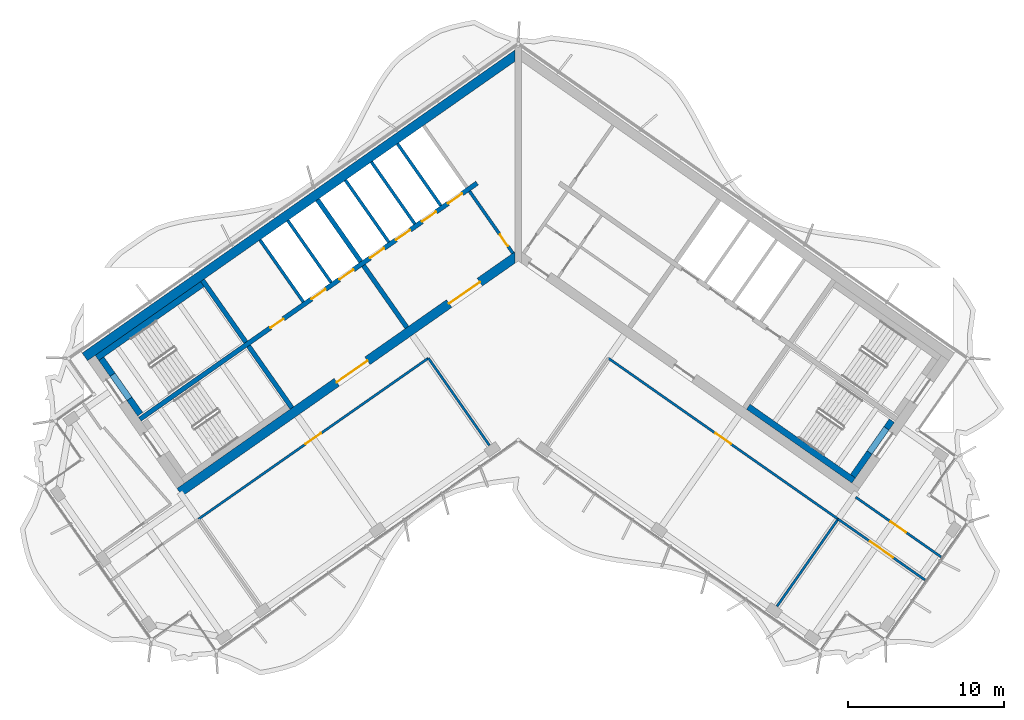
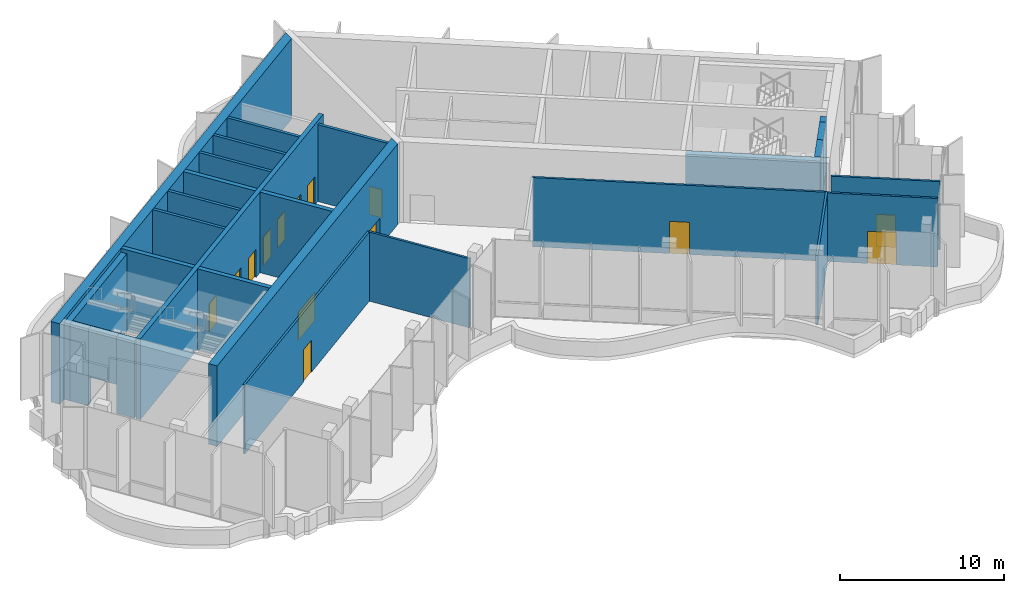
# One storey, part 9 of 18: 27 walls, 14 doors, 14 openings.
"""IFC4 building model written with IfcOpenShell, lengths in metres."""

from ifc_helpers import new_model, si_unit, direction, frame, frame_2d, origin, place, context, subcontext, project, spatial, polyline, rectangle, outline, extrude, material, layer, layer_set, type_object, element, fill, save


model = new_model("IFC4")

# Units and contexts
model_context = context("Model", 3, precision=1e-05, world=origin(), true_north=direction((0.0, 1.0)))
body_context = subcontext(model_context, "Body", "Model", "MODEL_VIEW")
ifc_project = project(units=[si_unit("LENGTHUNIT", "METRE"), si_unit("AREAUNIT", "SQUARE_METRE"), si_unit("VOLUMEUNIT", "CUBIC_METRE"), si_unit("PLANEANGLEUNIT", "RADIAN"), si_unit("MASSUNIT", "GRAM", prefix="KILO")], contexts=[model_context])

# Site, building, storey
site_placement = place(None, origin())
site = spatial("IfcSite", under=ifc_project, at=site_placement, CompositionType="ELEMENT")
building_placement = place(site_placement, origin())
building = spatial("IfcBuilding", under=site, at=building_placement, Name="Tel Ilan Convention Tower", CompositionType="ELEMENT")
storey_placement = place(building_placement, frame((0.0, 0.0, 307.300048828125)))
storey = spatial("IfcBuildingStorey", under=building, at=storey_placement, Name="L73", CompositionType="ELEMENT", Elevation=307.300048828125)

# Wall, opening, door
ifc_material_1 = material(Name="Concrete C30/37", Category="concrete")
ifc_layer_1 = layer(ifc_material_1, 0.199951171875)
ifc_layer_set_1 = layer_set([ifc_layer_1], Name="Core Service Room Wall 200 mm C30/37")
wall_type_1 = type_object("IfcWallType", Name="Core Service Room Wall 200 mm C30/37", PredefinedType="SOLIDWALL", material=ifc_layer_set_1)
wall_1_placement = place(storey_placement, frame((-0.343994140625, -0.729248046875, 0.0), z_axis=(0.0, 0.0, 1.0), x_axis=(-0.573560315113, 0.819163332265, 0.0)))
wall_1 = element("IfcWall", 1, at=wall_1_placement, inside=storey, type_object=wall_type_1, Name="L73 core wall apex-W", PredefinedType="SOLIDWALL", context=body_context, shape_type="SweptSolid", body=[
    extrude(rectangle(XDim=4.849853515625, YDim=0.199951171875, at=frame_2d((2.4248046875, 0.0))), origin(), (0.0, 0.0, 1.0), 5.719970703125),
])
opening_1_placement = place(wall_1_placement, frame((0.550048828125, 0.0, 0.0)))
opening_1 = element("IfcOpeningElement", 2, at=opening_1_placement, cuts=wall_1, Name="Opening CD5502", PredefinedType="OPENING", context=body_context, shape_type="SweptSolid", body=[
    extrude(rectangle(XDim=0.89990234375, YDim=2.10009765625, at=frame_2d((0.449951171875, 1.050048828125))), frame((0.0, 0.10986328125, 0.0), z_axis=(0.0, -1.0, 0.0), x_axis=(1.0, 0.0, 0.0)), (0.0, 0.0, 1.0), 0.219970703125),
])
ifc_material_2 = material(Name="Galvanised Steel Door Leaf", Category="steel")
door_type_1 = type_object("IfcDoorType", Name="Service Room Door 900 x 2100 FD60", OperationType="NOTDEFINED", PredefinedType="DOOR", material=ifc_material_2)
door_1_placement = place(opening_1_placement, origin())
door_1 = element("IfcDoor", 3, at=door_1_placement, inside=storey, type_object=door_type_1, Name="Electrical Room door", OperationType="SINGLE_SWING_RIGHT", OverallHeight=2.10009765625, OverallWidth=0.89990234375, PredefinedType="DOOR", context=body_context, shape_type="SweptSolid", body=[
    extrude(rectangle(XDim=0.89990234375, YDim=2.10009765625, at=frame_2d((0.449951171875, 1.050048828125))), frame((0.0, 0.02490234375, 0.0), z_axis=(0.0, -1.0, 0.0), x_axis=(1.0, 0.0, 0.0)), (0.0, 0.0, 1.0), 0.050048828125),
])
fill(opening_1, door_1)

# Walls
ifc_material_3 = material(Name="Concrete C40/50", Category="concrete")
ifc_layer_2 = layer(ifc_material_3, 0.300048828125)
ifc_layer_set_2 = layer_set([ifc_layer_2], Name="Core Shear Wall 300 mm C40/50")
wall_type_2 = type_object("IfcWallType", Name="Core Shear Wall 300 mm C40/50", PredefinedType="SHEAR", material=ifc_layer_set_2)
wall_2_placement = place(storey_placement, frame((-7.142822265625, -5.48974609375, 0.0), z_axis=(0.0, 0.0, 1.0), x_axis=(-0.573617744349, 0.819123118565, 0.0)))
element("IfcWall", 4, at=wall_2_placement, inside=storey, type_object=wall_type_2, Name="L73 core wall W-cross1-1", PredefinedType="SHEAR", context=body_context, shape_type="SweptSolid", body=[
    extrude(outline(polyline([(4.85009765625, 0.14990234375), (0.0, 0.150146484375), (0.0, -0.14990234375), (4.85009765625, -0.150146484375), (4.85009765625, 0.14990234375)])), origin(), (0.0, 0.0, 1.0), 6.0),
])
wall_3_placement = place(storey_placement, frame((-10.096923828125, -1.271240234375, 0.0), z_axis=(0.0, 0.0, 1.0), x_axis=(-0.573560315113, 0.819163332265, 0.0)))
element("IfcWall", 5, at=wall_3_placement, inside=storey, type_object=wall_type_2, Name="L73 core wall W-cross1-2", PredefinedType="SHEAR", context=body_context, shape_type="SweptSolid", body=[
    extrude(outline(polyline([(4.849853515625, -0.14990234375), (4.849853515625, 0.150146484375), (0.0, 0.14990234375), (0.0, -0.150146484375), (4.849853515625, -0.14990234375)])), origin(), (0.0, 0.0, 1.0), 6.0),
])
wall_4_placement = place(storey_placement, frame((-14.515380859375, -10.652099609375, 0.0), z_axis=(0.0, 0.0, 1.0), x_axis=(-0.573560315113, 0.819163332265, 0.0)))
element("IfcWall", 6, at=wall_4_placement, inside=storey, type_object=wall_type_2, Name="L73 core wall W-cross2-1", PredefinedType="SHEAR", context=body_context, shape_type="SweptSolid", body=[
    extrude(outline(polyline([(4.85009765625, 0.14990234375), (0.0, 0.14990234375), (0.0, -0.150146484375), (4.85009765625, -0.14990234375), (4.85009765625, 0.14990234375)])), origin(), (0.0, 0.0, 1.0), 6.0),
])
wall_5_placement = place(storey_placement, frame((-17.46923828125, -6.433349609375, 0.0), z_axis=(0.0, 0.0, 1.0), x_axis=(-0.573594092424, 0.81913968109, 0.0)))
element("IfcWall", 7, at=wall_5_placement, inside=storey, type_object=wall_type_2, Name="L73 core wall W-cross2-2", PredefinedType="SHEAR", context=body_context, shape_type="SweptSolid", body=[
    extrude(outline(polyline([(4.849853515625, -0.150146484375), (4.849853515625, 0.14990234375), (0.0, 0.14990234375), (0.0, -0.14990234375), (4.849853515625, -0.150146484375)])), origin(), (0.0, 0.0, 1.0), 6.0),
])

# Wall, openings, doors
wall_6_placement = place(storey_placement, frame((-2.638427734375, 3.76806640625, 0.0), z_axis=(0.0, 0.0, 1.0), x_axis=(-0.819155014212, -0.573572194837, 0.0)))
wall_6 = element("IfcWall", 8, at=wall_6_placement, inside=storey, type_object=wall_type_2, Name="L73 core wall W-spine", PredefinedType="SHEAR", context=body_context, shape_type="SweptSolid", body=[
    extrude(outline(polyline([(26.39990234375, 0.150146484375), (0.0, 0.14990234375), (0.0, -0.150146484375), (26.39990234375, -0.14990234375), (26.39990234375, 0.150146484375)])), origin(), (0.0, 0.0, 1.0), 6.0),
])
opening_2_placement = place(wall_6_placement, frame((1.168701171875, 0.0, 0.0)))
opening_2 = element("IfcOpeningElement", 9, at=opening_2_placement, cuts=wall_6, Name="Opening LD5504", PredefinedType="OPENING", context=body_context, shape_type="SweptSolid", body=[
    extrude(rectangle(XDim=1.10009765625, YDim=2.10009765625, at=frame_2d((0.550048828125, 1.050048828125))), frame((0.0, 0.159912109375, 0.0), z_axis=(0.0, -1.0, 0.0), x_axis=(1.0, 0.0, 0.0)), (0.0, 0.0, 1.0), 0.320068359375),
])
opening_3_placement = place(wall_6_placement, frame((3.206298828125, 0.0, 0.0)))
opening_3 = element("IfcOpeningElement", 10, at=opening_3_placement, cuts=wall_6, Name="Opening LD5505", PredefinedType="OPENING", context=body_context, shape_type="SweptSolid", body=[
    extrude(rectangle(XDim=1.10009765625, YDim=2.10009765625, at=frame_2d((0.550048828125, 1.050048828125))), frame((0.0, 0.159912109375, 0.0), z_axis=(0.0, -1.0, 0.0), x_axis=(1.0, 0.0, 0.0)), (0.0, 0.0, 1.0), 0.320068359375),
])
opening_4_placement = place(wall_6_placement, frame((5.24365234375, 0.0, 0.0)))
opening_4 = element("IfcOpeningElement", 11, at=opening_4_placement, cuts=wall_6, Name="Opening LD5506", PredefinedType="OPENING", context=body_context, shape_type="SweptSolid", body=[
    extrude(rectangle(XDim=1.10009765625, YDim=2.10009765625, at=frame_2d((0.550048828125, 1.050048828125))), frame((0.0, 0.159912109375, 0.0), z_axis=(0.0, -1.0, 0.0), x_axis=(1.0, 0.0, 0.0)), (0.0, 0.0, 1.0), 0.320068359375),
])
opening_5_placement = place(wall_6_placement, frame((7.28125, 0.0, 0.0)))
opening_5 = element("IfcOpeningElement", 12, at=opening_5_placement, cuts=wall_6, Name="Opening LD5507", PredefinedType="OPENING", context=body_context, shape_type="SweptSolid", body=[
    extrude(rectangle(XDim=1.10009765625, YDim=2.10009765625, at=frame_2d((0.550048828125, 1.050048828125))), frame((0.0, 0.159912109375, 0.0), z_axis=(0.0, -1.0, 0.0), x_axis=(1.0, 0.0, 0.0)), (0.0, 0.0, 1.0), 0.320068359375),
])
opening_6_placement = place(wall_6_placement, frame((9.6875, 0.0, 0.0)))
opening_6 = element("IfcOpeningElement", 13, at=opening_6_placement, cuts=wall_6, Name="Opening LD5508", PredefinedType="OPENING", context=body_context, shape_type="SweptSolid", body=[
    extrude(rectangle(XDim=1.10009765625, YDim=2.10009765625, at=frame_2d((0.550048828125, 1.050048828125))), frame((0.0, 0.159912109375, 0.0), z_axis=(0.0, -1.0, 0.0), x_axis=(1.0, 0.0, 0.0)), (0.0, 0.0, 1.0), 0.320068359375),
])
opening_7_placement = place(wall_6_placement, frame((11.862548828125, 0.0, 0.0)))
opening_7 = element("IfcOpeningElement", 14, at=opening_7_placement, cuts=wall_6, Name="Opening LD5509", PredefinedType="OPENING", context=body_context, shape_type="SweptSolid", body=[
    extrude(rectangle(XDim=1.10009765625, YDim=2.10009765625, at=frame_2d((0.550048828125, 1.050048828125))), frame((0.0, 0.159912109375, 0.0), z_axis=(0.0, -1.0, 0.0), x_axis=(1.0, 0.0, 0.0)), (0.0, 0.0, 1.0), 0.320068359375),
])
opening_8_placement = place(wall_6_placement, frame((15.175048828125, 0.0, 0.0)))
opening_8 = element("IfcOpeningElement", 15, at=opening_8_placement, cuts=wall_6, Name="Opening CD5509", PredefinedType="OPENING", context=body_context, shape_type="SweptSolid", body=[
    extrude(rectangle(XDim=1.0, YDim=2.10009765625, at=frame_2d((0.5, 1.050048828125))), frame((0.0, 0.159912109375, 0.0), z_axis=(0.0, -1.0, 0.0), x_axis=(1.0, 0.0, 0.0)), (0.0, 0.0, 1.0), 0.320068359375),
])
ifc_material_4 = material(Name="Stainless Steel Sliding Door Leaf", Category="steel")
door_type_2 = type_object("IfcDoorType", Name="Lift Landing Door 1100 x 2100 FD120", OperationType="NOTDEFINED", PredefinedType="DOOR", material=ifc_material_4)
door_2_placement = place(opening_2_placement, origin())
door_2 = element("IfcDoor", 16, at=door_2_placement, inside=storey, type_object=door_type_2, Name="Lift HR1 landing door", OperationType="SLIDING_TO_LEFT", OverallHeight=2.10009765625, OverallWidth=1.10009765625, PredefinedType="DOOR", context=body_context, shape_type="SweptSolid", body=[
    extrude(rectangle(XDim=1.10009765625, YDim=2.10009765625, at=frame_2d((0.550048828125, 1.050048828125))), frame((0.0, 0.02490234375, 0.0), z_axis=(0.0, -1.0, 0.0), x_axis=(1.0, 0.0, 0.0)), (0.0, 0.0, 1.0), 0.050048828125),
])
fill(opening_2, door_2)
door_3_placement = place(opening_3_placement, origin())
door_3 = element("IfcDoor", 17, at=door_3_placement, inside=storey, type_object=door_type_2, Name="Lift HR2 landing door", OperationType="SLIDING_TO_RIGHT", OverallHeight=2.10009765625, OverallWidth=1.10009765625, PredefinedType="DOOR", context=body_context, shape_type="SweptSolid", body=[
    extrude(rectangle(XDim=1.10009765625, YDim=2.10009765625, at=frame_2d((0.550048828125, 1.050048828125))), frame((0.0, 0.02490234375, 0.0), z_axis=(0.0, -1.0, 0.0), x_axis=(1.0, 0.0, 0.0)), (0.0, 0.0, 1.0), 0.050048828125),
])
fill(opening_3, door_3)
door_4_placement = place(opening_4_placement, origin())
door_4 = element("IfcDoor", 18, at=door_4_placement, inside=storey, type_object=door_type_2, Name="Lift HR3 landing door", OperationType="SLIDING_TO_LEFT", OverallHeight=2.10009765625, OverallWidth=1.10009765625, PredefinedType="DOOR", context=body_context, shape_type="SweptSolid", body=[
    extrude(rectangle(XDim=1.10009765625, YDim=2.10009765625, at=frame_2d((0.550048828125, 1.050048828125))), frame((0.0, 0.02490234375, 0.0), z_axis=(0.0, -1.0, 0.0), x_axis=(1.0, 0.0, 0.0)), (0.0, 0.0, 1.0), 0.050048828125),
])
fill(opening_4, door_4)
door_5_placement = place(opening_5_placement, origin())
door_5 = element("IfcDoor", 19, at=door_5_placement, inside=storey, type_object=door_type_2, Name="Lift HR4 landing door", OperationType="SLIDING_TO_RIGHT", OverallHeight=2.10009765625, OverallWidth=1.10009765625, PredefinedType="DOOR", context=body_context, shape_type="SweptSolid", body=[
    extrude(rectangle(XDim=1.10009765625, YDim=2.10009765625, at=frame_2d((0.550048828125, 1.050048828125))), frame((0.0, 0.02490234375, 0.0), z_axis=(0.0, -1.0, 0.0), x_axis=(1.0, 0.0, 0.0)), (0.0, 0.0, 1.0), 0.050048828125),
])
fill(opening_5, door_5)
door_6_placement = place(opening_6_placement, origin())
door_6 = element("IfcDoor", 20, at=door_6_placement, inside=storey, type_object=door_type_2, Name="Lift HR5 landing door", OperationType="SLIDING_TO_LEFT", OverallHeight=2.10009765625, OverallWidth=1.10009765625, PredefinedType="DOOR", context=body_context, shape_type="SweptSolid", body=[
    extrude(rectangle(XDim=1.10009765625, YDim=2.10009765625, at=frame_2d((0.550048828125, 1.050048828125))), frame((0.0, 0.02490234375, 0.0), z_axis=(0.0, -1.0, 0.0), x_axis=(1.0, 0.0, 0.0)), (0.0, 0.0, 1.0), 0.050048828125),
])
fill(opening_6, door_6)
door_7_placement = place(opening_7_placement, origin())
door_7 = element("IfcDoor", 21, at=door_7_placement, inside=storey, type_object=door_type_2, Name="Lift HR6 landing door", OperationType="SLIDING_TO_RIGHT", OverallHeight=2.10009765625, OverallWidth=1.10009765625, PredefinedType="DOOR", context=body_context, shape_type="SweptSolid", body=[
    extrude(rectangle(XDim=1.10009765625, YDim=2.10009765625, at=frame_2d((0.550048828125, 1.050048828125))), frame((0.0, 0.02490234375, 0.0), z_axis=(0.0, -1.0, 0.0), x_axis=(1.0, 0.0, 0.0)), (0.0, 0.0, 1.0), 0.050048828125),
])
fill(opening_7, door_7)
ifc_material_5 = material(Name="Galvanised Steel Door Leaf", Category="steel")
door_type_3 = type_object("IfcDoorType", Name="Service Room Door 1000 x 2100 FD60", OperationType="NOTDEFINED", PredefinedType="DOOR", material=ifc_material_5)
door_8_placement = place(opening_8_placement, origin())
door_8 = element("IfcDoor", 22, at=door_8_placement, inside=storey, type_object=door_type_3, Name="Plant Room door", OperationType="SINGLE_SWING_RIGHT", OverallHeight=2.10009765625, OverallWidth=1.0, PredefinedType="DOOR", context=body_context, shape_type="SweptSolid", body=[
    extrude(rectangle(XDim=1.0, YDim=2.10009765625, at=frame_2d((0.5, 1.050048828125))), frame((0.0, 0.02490234375, 0.0), z_axis=(0.0, -1.0, 0.0), x_axis=(1.0, 0.0, 0.0)), (0.0, 0.0, 1.0), 0.050048828125),
])
fill(opening_8, door_8)

# Wall
ifc_material_6 = material(Name="Concrete C40/50", Category="concrete")
ifc_layer_3 = layer(ifc_material_6, 0.60009765625)
ifc_layer_set_3 = layer_set([ifc_layer_3], Name="Core Shear Wall 600 mm C40/50")
wall_type_3 = type_object("IfcWallType", Name="Core Shear Wall 600 mm C40/50", PredefinedType="SHEAR", material=ifc_layer_set_3)
wall_7_placement = place(storey_placement, frame((-0.02783203125, 12.066162109375, 0.0), z_axis=(0.0, 0.0, 1.0), x_axis=(-0.819151382952, -0.573577380837, 0.0)))
element("IfcWall", 23, at=wall_7_placement, inside=storey, type_object=wall_type_3, Name="L73 core wall W-back", PredefinedType="SHEAR", context=body_context, shape_type="SweptSolid", body=[
    extrude(outline(polyline([(33.89794921875, 0.300048828125), (0.420166015625, 0.300048828125), (0.0, -0.300048828125), (33.898193359375, -0.300048828125), (33.89794921875, 0.300048828125)])), origin(), (0.0, 0.0, 1.0), 6.0),
])

# Wall, openings, doors
wall_8_placement = place(storey_placement, frame((-0.02783203125, -0.8740234375, 0.0), z_axis=(0.0, 0.0, 1.0), x_axis=(-0.819150035022, -0.573579305871, 0.0)))
wall_8 = element("IfcWall", 24, at=wall_8_placement, inside=storey, type_object=wall_type_3, Name="L73 core wall W-front", PredefinedType="SHEAR", context=body_context, shape_type="SweptSolid", body=[
    extrude(outline(polyline([(26.475830078125, 0.2998046875), (0.420166015625, 0.300048828125), (0.000244140625, -0.300048828125), (26.475830078125, -0.300048828125), (26.475830078125, 0.2998046875)])), origin(), (0.0, 0.0, 1.0), 6.0),
])
opening_9_placement = place(wall_8_placement, frame((2.975830078125, 0.0, 0.0)))
opening_9 = element("IfcOpeningElement", 25, at=opening_9_placement, cuts=wall_8, Name="Opening CD5506", PredefinedType="OPENING", context=body_context, shape_type="SweptSolid", body=[
    extrude(rectangle(XDim=2.39990234375, YDim=2.10009765625, at=frame_2d((1.199951171875, 1.050048828125))), frame((0.0, 0.31005859375, 0.0), z_axis=(0.0, -1.0, 0.0), x_axis=(1.0, 0.0, 0.0)), (0.0, 0.0, 1.0), 0.6201171875),
])
opening_10_placement = place(wall_8_placement, frame((11.77587890625, 0.0, 0.0)))
opening_10 = element("IfcOpeningElement", 26, at=opening_10_placement, cuts=wall_8, Name="Opening CD5507", PredefinedType="OPENING", context=body_context, shape_type="SweptSolid", body=[
    extrude(rectangle(XDim=2.39990234375, YDim=2.10009765625, at=frame_2d((1.199951171875, 1.050048828125))), frame((0.0, 0.31005859375, 0.0), z_axis=(0.0, -1.0, 0.0), x_axis=(1.0, 0.0, 0.0)), (0.0, 0.0, 1.0), 0.6201171875),
])
ifc_material_7 = material(Name="Glazed Aluminium Door Leaf", Category="aluminium")
door_type_4 = type_object("IfcDoorType", Name="Lobby Opening Door 2400 x 2100 FD60S", OperationType="NOTDEFINED", PredefinedType="DOOR", material=ifc_material_7)
door_9_placement = place(opening_9_placement, origin())
door_9 = element("IfcDoor", 27, at=door_9_placement, inside=storey, type_object=door_type_4, Name="Lift Lobby HR1-HR4 opening", OperationType="DOUBLE_DOOR_SINGLE_SWING", OverallHeight=2.10009765625, OverallWidth=2.39990234375, PredefinedType="DOOR", context=body_context, shape_type="SweptSolid", body=[
    extrude(rectangle(XDim=2.39990234375, YDim=2.10009765625, at=frame_2d((1.199951171875, 1.050048828125))), frame((0.0, 0.02490234375, 0.0), z_axis=(0.0, -1.0, 0.0), x_axis=(1.0, 0.0, 0.0)), (0.0, 0.0, 1.0), 0.050048828125),
])
fill(opening_9, door_9)
door_10_placement = place(opening_10_placement, origin())
door_10 = element("IfcDoor", 28, at=door_10_placement, inside=storey, type_object=door_type_4, Name="Lift Lobby HR5-HR6 opening", OperationType="DOUBLE_DOOR_SINGLE_SWING", OverallHeight=2.10009765625, OverallWidth=2.39990234375, PredefinedType="DOOR", context=body_context, shape_type="SweptSolid", body=[
    extrude(rectangle(XDim=2.39990234375, YDim=2.10009765625, at=frame_2d((1.199951171875, 1.050048828125))), frame((0.0, 0.02490234375, 0.0), z_axis=(0.0, -1.0, 0.0), x_axis=(1.0, 0.0, 0.0)), (0.0, 0.0, 1.0), 0.050048828125),
])
fill(opening_10, door_10)

# Wall, opening, door
ifc_material_8 = material(Name="Plasterboard on Steel Studs", Category="steel")
ifc_layer_4 = layer(ifc_material_8, 0.14990234375)
ifc_layer_set_4 = layer_set([ifc_layer_4], Name="Fire-rated Partition 150 EI 60")
wall_type_4 = type_object("IfcWallType", Name="Fire-rated Partition 150 EI 60", PredefinedType="PARTITIONING", material=ifc_layer_set_4)
wall_9_placement = place(storey_placement, frame((21.641845703125, -16.37451171875, 0.0), z_axis=(0.0, 0.0, 1.0), x_axis=(0.819147777977, -0.573582529227, 0.0)))
wall_9 = element("IfcWall", 29, at=wall_9_placement, inside=storey, type_object=wall_type_4, Name="Partition 001", PredefinedType="PARTITIONING", context=body_context, shape_type="SweptSolid", body=[
    extrude(rectangle(XDim=6.679931640625, YDim=0.14990234375, at=frame_2d((3.33984375, 0.0))), origin(), (0.0, 0.0, 1.0), 5.099853515625),
])
opening_11_placement = place(wall_9_placement, frame((2.739990234375, 0.0, 0.0)))
opening_11 = element("IfcOpeningElement", 30, at=opening_11_placement, cuts=wall_9, Name="Opening L73-006", PredefinedType="OPENING", context=body_context, shape_type="SweptSolid", body=[
    extrude(rectangle(XDim=1.199951171875, YDim=2.39990234375, at=frame_2d((0.60009765625, 1.199951171875))), frame((0.0, 0.0849609375, 0.0), z_axis=(0.0, -1.0, 0.0), x_axis=(1.0, 0.0, 0.0)), (0.0, 0.0, 1.0), 0.169921875),
])
ifc_material_9 = material(Name="Glazed Aluminium Door", Category="aluminium")
door_type_5 = type_object("IfcDoorType", Name="Glazed Lobby Door 1200x2400", OperationType="NOTDEFINED", PredefinedType="DOOR", material=ifc_material_9)
door_11_placement = place(opening_11_placement, origin())
door_11 = element("IfcDoor", 31, at=door_11_placement, inside=storey, type_object=door_type_5, Name="Door L73-006", OperationType="DOUBLE_DOOR_SINGLE_SWING", OverallHeight=2.39990234375, OverallWidth=1.199951171875, PredefinedType="DOOR", context=body_context, shape_type="SweptSolid", body=[
    extrude(rectangle(XDim=1.199951171875, YDim=2.39990234375, at=frame_2d((0.60009765625, 1.199951171875))), frame((0.0, 0.02490234375, 0.0), z_axis=(0.0, -1.0, 0.0), x_axis=(1.0, 0.0, 0.0)), (0.0, 0.0, 1.0), 0.050048828125),
])
fill(opening_11, door_11)

wall_10_placement = place(storey_placement, frame((20.5126953125, -17.78125, 0.0), z_axis=(0.0, 0.0, 1.0), x_axis=(-0.819153544995, 0.573574293115, 0.0)))
wall_10 = element("IfcWall", 32, at=wall_10_placement, inside=storey, type_object=wall_type_4, Name="Partition 002", PredefinedType="PARTITIONING", context=body_context, shape_type="SweptSolid", body=[
    extrude(rectangle(XDim=18.001953125, YDim=0.14990234375, at=frame_2d((9.0009765625, 0.0))), origin(), (0.0, 0.0, 1.0), 5.14990234375),
])
opening_12_placement = place(wall_10_placement, frame((8.40087890625, 0.0, 0.0)))
opening_12 = element("IfcOpeningElement", 33, at=opening_12_placement, cuts=wall_10, Name="Opening L73-004", PredefinedType="OPENING", context=body_context, shape_type="SweptSolid", body=[
    extrude(rectangle(XDim=1.199951171875, YDim=2.39990234375, at=frame_2d((0.60009765625, 1.199951171875))), frame((0.0, 0.0849609375, 0.0), z_axis=(0.0, -1.0, 0.0), x_axis=(1.0, 0.0, 0.0)), (0.0, 0.0, 1.0), 0.169921875),
])
door_12_placement = place(opening_12_placement, origin())
door_12 = element("IfcDoor", 34, at=door_12_placement, inside=storey, type_object=door_type_5, Name="Door L73-004", OperationType="DOUBLE_DOOR_SINGLE_SWING", OverallHeight=2.39990234375, OverallWidth=1.199951171875, PredefinedType="DOOR", context=body_context, shape_type="SweptSolid", body=[
    extrude(rectangle(XDim=1.199951171875, YDim=2.39990234375, at=frame_2d((0.60009765625, 1.199951171875))), frame((0.0, 0.02490234375, 0.0), z_axis=(0.0, -1.0, 0.0), x_axis=(1.0, 0.0, 0.0)), (0.0, 0.0, 1.0), 0.050048828125),
])
fill(opening_12, door_12)

wall_11_placement = place(storey_placement, frame((26.081298828125, -21.680419921875, 0.0), z_axis=(0.0, 0.0, 1.0), x_axis=(-0.819154345195, 0.573573150303, 0.0)))
wall_11 = element("IfcWall", 35, at=wall_11_placement, inside=storey, type_object=wall_type_4, Name="Partition 003", PredefinedType="PARTITIONING", context=body_context, shape_type="SweptSolid", body=[
    extrude(rectangle(XDim=6.8017578125, YDim=0.14990234375, at=frame_2d((3.40087890625, 0.0))), origin(), (0.0, 0.0, 1.0), 5.099853515625),
])
opening_13_placement = place(wall_11_placement, frame((2.5009765625, 0.0, 0.0)))
opening_13 = element("IfcOpeningElement", 36, at=opening_13_placement, cuts=wall_11, Name="Opening L73-005", PredefinedType="OPENING", context=body_context, shape_type="SweptSolid", body=[
    extrude(rectangle(XDim=1.800048828125, YDim=2.39990234375, at=frame_2d((0.89990234375, 1.199951171875))), frame((0.0, 0.0849609375, 0.0), z_axis=(0.0, -1.0, 0.0), x_axis=(1.0, 0.0, 0.0)), (0.0, 0.0, 1.0), 0.169921875),
])
ifc_material_10 = material(Name="Timber Door Leaf in Steel Frame", Category="steel")
door_type_6 = type_object("IfcDoorType", Name="Hall Double Fire Door 1800x2400", OperationType="NOTDEFINED", PredefinedType="DOOR", material=ifc_material_10)
door_13_placement = place(opening_13_placement, origin())
door_13 = element("IfcDoor", 37, at=door_13_placement, inside=storey, type_object=door_type_6, Name="Door L73-005", OperationType="DOUBLE_DOOR_SINGLE_SWING", OverallHeight=2.39990234375, OverallWidth=1.800048828125, PredefinedType="DOOR", context=body_context, shape_type="SweptSolid", body=[
    extrude(rectangle(XDim=1.800048828125, YDim=2.39990234375, at=frame_2d((0.89990234375, 1.199951171875))), frame((0.0, 0.02490234375, 0.0), z_axis=(0.0, -1.0, 0.0), x_axis=(1.0, 0.0, 0.0)), (0.0, 0.0, 1.0), 0.050048828125),
])
fill(opening_13, door_13)

wall_12_placement = place(storey_placement, frame((-5.766357421875, -7.455810546875, 0.0), z_axis=(0.0, 0.0, 1.0), x_axis=(-0.819153544995, -0.573574293115, 0.0)))
wall_12 = element("IfcWall", 38, at=wall_12_placement, inside=storey, type_object=wall_type_4, Name="Partition 005", PredefinedType="PARTITIONING", context=body_context, shape_type="SweptSolid", body=[
    extrude(rectangle(XDim=18.001953125, YDim=0.14990234375, at=frame_2d((9.0009765625, 0.0))), origin(), (0.0, 0.0, 1.0), 5.14990234375),
])
opening_14_placement = place(wall_12_placement, frame((8.40087890625, 0.0, 0.0)))
opening_14 = element("IfcOpeningElement", 39, at=opening_14_placement, cuts=wall_12, Name="Opening L73-001", PredefinedType="OPENING", context=body_context, shape_type="SweptSolid", body=[
    extrude(rectangle(XDim=1.199951171875, YDim=2.39990234375, at=frame_2d((0.60009765625, 1.199951171875))), frame((0.0, 0.0849609375, 0.0), z_axis=(0.0, -1.0, 0.0), x_axis=(1.0, 0.0, 0.0)), (0.0, 0.0, 1.0), 0.169921875),
])
door_14_placement = place(opening_14_placement, origin())
door_14 = element("IfcDoor", 40, at=door_14_placement, inside=storey, type_object=door_type_5, Name="Door L73-001", OperationType="DOUBLE_DOOR_SINGLE_SWING", OverallHeight=2.39990234375, OverallWidth=1.199951171875, PredefinedType="DOOR", context=body_context, shape_type="SweptSolid", body=[
    extrude(rectangle(XDim=1.199951171875, YDim=2.39990234375, at=frame_2d((0.60009765625, 1.199951171875))), frame((0.0, 0.02490234375, 0.0), z_axis=(0.0, -1.0, 0.0), x_axis=(1.0, 0.0, 0.0)), (0.0, 0.0, 1.0), 0.050048828125),
])
fill(opening_14, door_14)

# Walls
wall_13_placement = place(storey_placement, frame((20.510986328125, -17.7802734375, 0.0), z_axis=(0.0, 0.0, 1.0), x_axis=(-0.573577493031, -0.819151304393, 0.0)))
element("IfcWall", 41, at=wall_13_placement, inside=storey, type_object=wall_type_4, Name="Partition 007", PredefinedType="PARTITIONING", context=body_context, shape_type="SweptSolid", body=[
    extrude(rectangle(XDim=6.829833984375, YDim=0.14990234375, at=frame_2d((3.4150390625, 0.0))), origin(), (0.0, 0.0, 1.0), 5.14990234375),
])
wall_14_placement = place(storey_placement, frame((-1.848876953125, -13.050537109375, 0.0), z_axis=(0.0, 0.0, 1.0), x_axis=(-0.57357985571, 0.819149650018, 0.0)))
element("IfcWall", 42, at=wall_14_placement, inside=storey, type_object=wall_type_4, Name="Partition 009", PredefinedType="PARTITIONING", context=body_context, shape_type="SweptSolid", body=[
    extrude(rectangle(XDim=6.83203125, YDim=0.14990234375, at=frame_2d((3.416015625, 0.0))), origin(), (0.0, 0.0, 1.0), 5.14990234375),
])
ifc_material_11 = material(Name="Concrete C30/37", Category="concrete")
ifc_layer_5 = layer(ifc_material_11, 0.199951171875)
ifc_layer_set_5 = layer_set([ifc_layer_5], Name="Lift Shaft Wall 200 mm C30/37")
wall_type_5 = type_object("IfcWallType", Name="Lift Shaft Wall 200 mm C30/37", PredefinedType="SOLIDWALL", material=ifc_layer_set_5)
wall_15_placement = place(storey_placement, frame((-4.966796875, 2.32080078125, 0.0), z_axis=(0.0, 0.0, 1.0), x_axis=(-0.573594092424, 0.81913968109, 0.0)))
element("IfcWall", 43, at=wall_15_placement, inside=storey, type_object=wall_type_5, Name="L73 core wall bank-W1-p0", PredefinedType="SOLIDWALL", context=body_context, shape_type="SweptSolid", body=[
    extrude(rectangle(XDim=4.85009765625, YDim=0.199951171875, at=frame_2d((2.425048828125, 0.0))), origin(), (0.0, 0.0, 1.0), 6.0),
])
wall_16_placement = place(storey_placement, frame((-6.635986328125, 1.152099609375, 0.0), z_axis=(0.0, 0.0, 1.0), x_axis=(-0.573560315113, 0.819163332265, 0.0)))
element("IfcWall", 44, at=wall_16_placement, inside=storey, type_object=wall_type_5, Name="L73 core wall bank-W1-p1", PredefinedType="SOLIDWALL", context=body_context, shape_type="SweptSolid", body=[
    extrude(rectangle(XDim=4.849853515625, YDim=0.199951171875, at=frame_2d((2.4248046875, 0.0))), origin(), (0.0, 0.0, 1.0), 6.0),
])
wall_17_placement = place(storey_placement, frame((-8.304931640625, -0.0166015625, 0.0), z_axis=(0.0, 0.0, 1.0), x_axis=(-0.573594092424, 0.81913968109, 0.0)))
element("IfcWall", 45, at=wall_17_placement, inside=storey, type_object=wall_type_5, Name="L73 core wall bank-W1-p2", PredefinedType="SOLIDWALL", context=body_context, shape_type="SweptSolid", body=[
    extrude(rectangle(XDim=4.85009765625, YDim=0.199951171875, at=frame_2d((2.425048828125, 0.0))), origin(), (0.0, 0.0, 1.0), 6.0),
])
wall_18_placement = place(storey_placement, frame((-12.00146484375, -2.604736328125, 0.0), z_axis=(0.0, 0.0, 1.0), x_axis=(-0.573560315113, 0.819163332265, 0.0)))
element("IfcWall", 46, at=wall_18_placement, inside=storey, type_object=wall_type_5, Name="L73 core wall bank-W2-p0", PredefinedType="SOLIDWALL", context=body_context, shape_type="SweptSolid", body=[
    extrude(rectangle(XDim=4.849853515625, YDim=0.199951171875, at=frame_2d((2.4248046875, 0.0))), origin(), (0.0, 0.0, 1.0), 6.0),
])
wall_19_placement = place(storey_placement, frame((-13.782958984375, -3.852294921875, 0.0), z_axis=(0.0, 0.0, 1.0), x_axis=(-0.573594092424, 0.81913968109, 0.0)))
element("IfcWall", 47, at=wall_19_placement, inside=storey, type_object=wall_type_5, Name="L73 core wall bank-W2-p1", PredefinedType="SOLIDWALL", context=body_context, shape_type="SweptSolid", body=[
    extrude(rectangle(XDim=4.85009765625, YDim=0.199951171875, at=frame_2d((2.425048828125, 0.0))), origin(), (0.0, 0.0, 1.0), 6.0),
])
ifc_material_12 = material(Name="Concrete C30/37", Category="concrete")
ifc_layer_6 = layer(ifc_material_12, 0.39990234375)
ifc_layer_set_6 = layer_set([ifc_layer_6], Name="Stair and Shaft Lining Wall 400 mm C30/37")
wall_type_6 = type_object("IfcWallType", Name="Stair and Shaft Lining Wall 400 mm C30/37", PredefinedType="SOLIDWALL", material=ifc_layer_set_6)
wall_20_placement = place(storey_placement, frame((-20.25927734375, -2.71044921875, 0.0), z_axis=(0.0, 0.0, 1.0), x_axis=(-0.81914849389, -0.573581506813, 0.0)))
element("IfcWall", 48, at=wall_20_placement, inside=storey, type_object=wall_type_6, Name="L73 core wall lining-S1-t1", PredefinedType="SOLIDWALL", context=body_context, shape_type="SweptSolid", body=[
    extrude(rectangle(XDim=8.249755859375, YDim=0.39990234375, at=frame_2d((4.125, 0.0))), origin(), (0.0, 0.0, 1.0), 5.719970703125),
])
wall_21_placement = place(storey_placement, frame((-24.24365234375, -11.0546875, 0.0), z_axis=(0.0, 0.0, 1.0), x_axis=(-0.573571582932, 0.819155442668, 0.0)))
element("IfcWall", 49, at=wall_21_placement, inside=storey, type_object=wall_type_6, Name="L73 core wall lining-S1-u1-0", PredefinedType="SOLIDWALL", context=body_context, shape_type="SweptSolid", body=[
    extrude(rectangle(XDim=1.199951171875, YDim=0.39990234375, at=frame_2d((0.60009765625, 0.0))), origin(), (0.0, 0.0, 1.0), 5.719970703125),
])
wall_22_placement = place(storey_placement, frame((-26.021728515625, -8.515380859375, 0.0), z_axis=(0.0, 0.0, 1.0), x_axis=(-0.573619628835, 0.819121798889, 0.0)))
element("IfcWall", 50, at=wall_22_placement, inside=storey, type_object=wall_type_6, Name="L73 core wall lining-S1-u1-1", PredefinedType="SOLIDWALL", context=body_context, shape_type="SweptSolid", body=[
    extrude(rectangle(XDim=1.25, YDim=0.39990234375, at=frame_2d((0.625, 0.0))), origin(), (0.0, 0.0, 1.0), 5.719970703125),
])
wall_23_placement = place(storey_placement, frame((-24.931884765625, -10.07177734375, 2.14990234375), z_axis=(0.0, 0.0, 1.0), x_axis=(-0.573591692345, 0.819141361715, 0.0)))
element("IfcWall", 51, at=wall_23_placement, inside=storey, type_object=wall_type_6, Name="L73 core wall lining-S1-u1-lintel", PredefinedType="SOLIDWALL", context=body_context, shape_type="SweptSolid", body=[
    extrude(rectangle(XDim=1.900146484375, YDim=0.39990234375, at=frame_2d((0.9501953125, 0.0))), origin(), (0.0, 0.0, 1.0), 3.570068359375),
])
wall_24_placement = place(storey_placement, frame((14.7529296875, -10.57421875, 0.0), z_axis=(0.0, 0.0, 1.0), x_axis=(0.819158229677, -0.573567602601, 0.0)))
element("IfcWall", 52, at=wall_24_placement, inside=storey, type_object=wall_type_6, Name="L73 core wall lining-S4-t0", PredefinedType="SOLIDWALL", context=body_context, shape_type="SweptSolid", body=[
    extrude(rectangle(XDim=8.25, YDim=0.39990234375, at=frame_2d((4.125, 0.0))), origin(), (0.0, 0.0, 1.0), 5.719970703125),
])
wall_25_placement = place(storey_placement, frame((21.4619140625, -15.027587890625, 0.0), z_axis=(0.0, 0.0, 1.0), x_axis=(0.573559770908, 0.819163713305, 0.0)))
element("IfcWall", 53, at=wall_25_placement, inside=storey, type_object=wall_type_6, Name="L73 core wall lining-S4-u1-0", PredefinedType="SOLIDWALL", context=body_context, shape_type="SweptSolid", body=[
    extrude(rectangle(XDim=1.849853515625, YDim=0.39990234375, at=frame_2d((0.9248046875, 0.0))), origin(), (0.0, 0.0, 1.0), 5.719970703125),
])
wall_26_placement = place(storey_placement, frame((23.61279296875, -11.955810546875, 0.0), z_axis=(0.0, 0.0, 1.0), x_axis=(0.573435029941, 0.819251039936, 0.0)))
element("IfcWall", 54, at=wall_26_placement, inside=storey, type_object=wall_type_6, Name="L73 core wall lining-S4-u1-1", PredefinedType="SOLIDWALL", context=body_context, shape_type="SweptSolid", body=[
    extrude(rectangle(XDim=0.599853515625, YDim=0.39990234375, at=frame_2d((0.2998046875, 0.0))), origin(), (0.0, 0.0, 1.0), 5.719970703125),
])
wall_27_placement = place(storey_placement, frame((22.52294921875, -13.51220703125, 2.14990234375), z_axis=(0.0, 0.0, 1.0), x_axis=(0.573591692345, 0.819141361715, 0.0)))
element("IfcWall", 55, at=wall_27_placement, inside=storey, type_object=wall_type_6, Name="L73 core wall lining-S4-u1-lintel", PredefinedType="SOLIDWALL", context=body_context, shape_type="SweptSolid", body=[
    extrude(rectangle(XDim=1.900146484375, YDim=0.39990234375, at=frame_2d((0.9501953125, 0.0))), origin(), (0.0, 0.0, 1.0), 3.570068359375),
])

save(model, "model.ifc")
